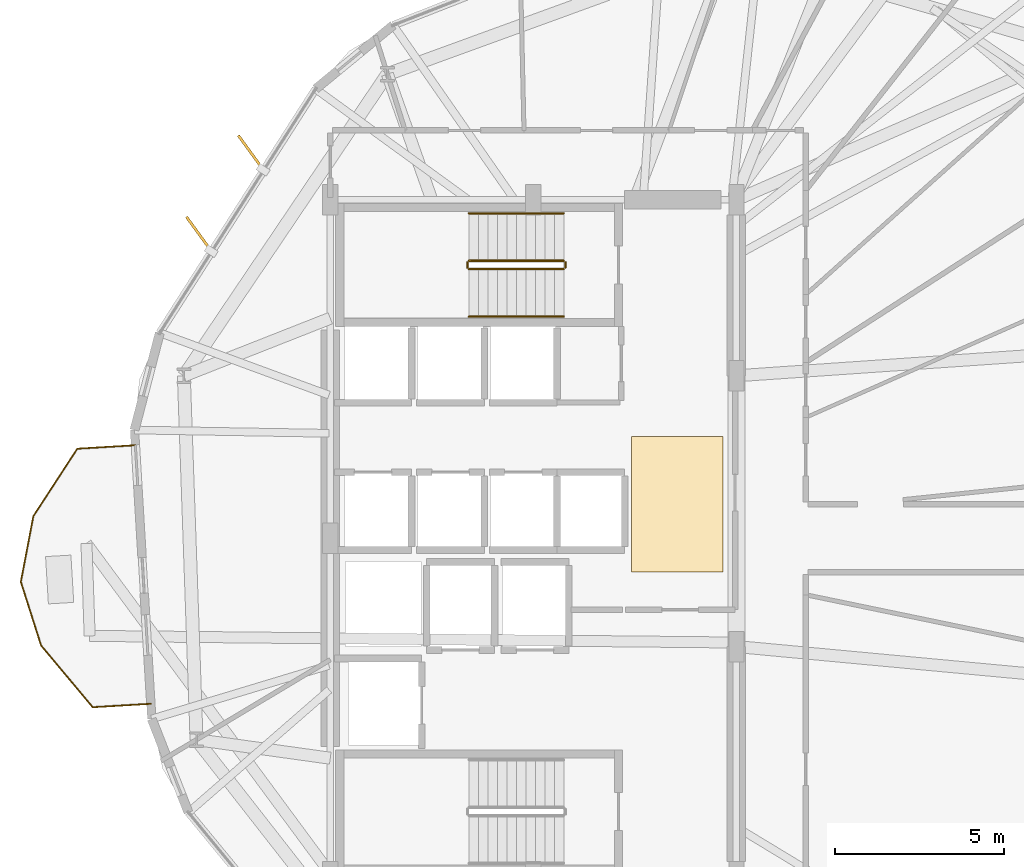
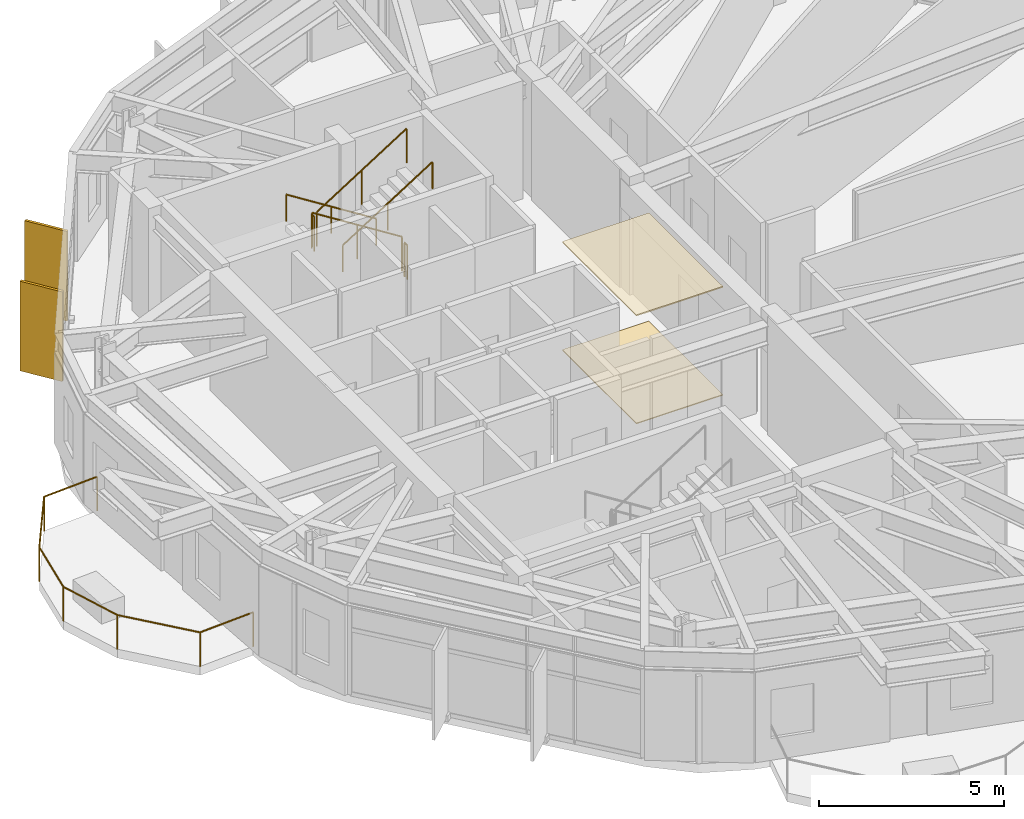
# One storey, part 21 of 22: 7 railings, 2 coverings, 2 shading devices.
"""IFC4 building model written with IfcOpenShell, lengths in metres."""

import ifcopenshell
import ifcopenshell.guid

model = None  # the IFC model being written
_history = None  # IfcOwnerHistory: only IFC2X3 demands one
_inside = {}  # id of a spatial element -> (the spatial element, [elements in it])
_under = {}  # id of a project, library or spatial element -> (it, [spatial elements below it])
_declared = {}  # id of a project -> (the project, [libraries it declares])
_typed = {}  # id of a type object -> (the type object, [elements of that type])
_made_of = {}  # id of a material, layer set ... -> (it, [elements and type objects made of it])


def new_model(schema):
    """Start an empty IFC model of exactly this schema.

    Asked for "IFC4X3", IfcOpenShell would pick the latest addendum, in which some entities
    have other attributes; the version numbers below select the first issue.
    IFC2X3 requires an IfcOwnerHistory on every rooted entity: one is made here for all.
    """
    global model, _history
    if schema == "IFC4X3":
        model = ifcopenshell.file(schema_version=(4, 3, 0, 0))
    else:
        model = ifcopenshell.file(schema=schema)
    _inside.clear()
    _under.clear()
    _declared.clear()
    _typed.clear()
    _made_of.clear()
    _history = None
    if model.schema == "IFC2X3":
        org = make("IfcOrganization", Name="unknown")
        user = make(
            "IfcPersonAndOrganization",
            ThePerson=make("IfcPerson", FamilyName="unknown"),
            TheOrganization=org,
        )
        app = make(
            "IfcApplication",
            ApplicationDeveloper=org,
            Version="unknown",
            ApplicationFullName="unknown",
            ApplicationIdentifier="unknown",
        )
        _history = make(
            "IfcOwnerHistory",
            OwningUser=user,
            OwningApplication=app,
            ChangeAction="ADDED",
            CreationDate=0,
        )
    return model


def make(cls, **values):
    """One entity of the class cls with the attributes given. An attribute that is None is left unset."""
    return model.create_entity(
        cls, **{name: value for name, value in values.items() if value is not None}
    )


def rooted(cls, **values):
    """An entity with a GlobalId (a new one), such as an element, a storey or a relation."""
    return make(cls, GlobalId=ifcopenshell.guid.new(), OwnerHistory=_history, **values)


def si_unit(unit_type, name, prefix=None):
    """IfcSIUnit, for example si_unit("LENGTHUNIT", "METRE", prefix="MILLI")."""
    return make("IfcSIUnit", UnitType=unit_type, Prefix=prefix, Name=name)


def assignment(units):
    """IfcUnitAssignment: the units of a project."""
    return None if units is None else make("IfcUnitAssignment", Units=units)


def point(xyz):
    """IfcCartesianPoint."""
    return None if xyz is None else make("IfcCartesianPoint", Coordinates=xyz)


def direction(xyz):
    """IfcDirection."""
    return None if xyz is None else make("IfcDirection", DirectionRatios=xyz)


def frame(location, z_axis=None, x_axis=None):
    """IfcAxis2Placement3D, a coordinate frame: its origin and axes. An axis left out is left unset."""
    return make(
        "IfcAxis2Placement3D",
        Location=point(location),
        Axis=direction(z_axis),
        RefDirection=direction(x_axis),
    )


def frame_2d(location, x_axis=None):
    """IfcAxis2Placement2D, a coordinate frame in the plane: its origin and x axis."""
    return make(
        "IfcAxis2Placement2D", Location=point(location), RefDirection=direction(x_axis)
    )


def origin():
    """The frame at (0, 0, 0) with its axes left unset."""
    return frame((0.0, 0.0, 0.0))


def origin_2d():
    """The frame at (0, 0) in the plane with its x axis left unset."""
    return frame_2d((0.0, 0.0))


def place(relative_to, where):
    """IfcLocalPlacement: puts the frame where relative to a parent placement (None: the world)."""
    return make(
        "IfcLocalPlacement", PlacementRelTo=relative_to, RelativePlacement=where
    )


def context(
    kind, dimensions, precision=None, world=None, true_north=None, identifier=None
):
    """IfcGeometricRepresentationContext, for example the 3D "Model" context."""
    return make(
        "IfcGeometricRepresentationContext",
        ContextIdentifier=identifier,
        ContextType=kind,
        CoordinateSpaceDimension=dimensions,
        Precision=precision,
        WorldCoordinateSystem=world,
        TrueNorth=true_north,
    )


def subcontext(parent, identifier, kind, view, scale=None):
    """IfcGeometricRepresentationSubContext, for example "Body" below "Model"."""
    return make(
        "IfcGeometricRepresentationSubContext",
        ContextIdentifier=identifier,
        ContextType=kind,
        ParentContext=parent,
        TargetScale=scale,
        TargetView=view,
    )


def project(units=None, contexts=None):
    """IfcProject with its units and contexts."""
    return rooted(
        "IfcProject",
        Name="project",
        RepresentationContexts=contexts,
        UnitsInContext=assignment(units),
    )


def spatial(cls, under=None, at=None, **own):
    """A site, building, storey or space (cls), placed at a placement, below another one or the project."""
    s = rooted(cls, ObjectPlacement=at, **own)
    if under is not None:
        _under.setdefault(under.id(), (under, []))[1].append(s)
    return s


def polyline(points):
    """IfcPolyline through the points."""
    return make("IfcPolyline", Points=[point(p) for p in points])


def profile(cls, at=None, kind="AREA", **sizes):
    """A parametric profile (cls). Its sizes go by their IFC names, for example OverallWidth=200.0."""
    return make(cls, ProfileType=kind, Position=at, **sizes)


def rectangle(**sizes):
    """IfcRectangleProfileDef."""
    return profile("IfcRectangleProfileDef", **sizes)


def circle(**sizes):
    """IfcCircleProfileDef."""
    return profile("IfcCircleProfileDef", **sizes)


def outline(outer, holes=None, kind="AREA"):
    """IfcArbitraryClosedProfileDef: a profile drawn as a closed curve; with holes, ...WithVoids."""
    if holes is None:
        return make("IfcArbitraryClosedProfileDef", ProfileType=kind, OuterCurve=outer)
    return make(
        "IfcArbitraryProfileDefWithVoids",
        ProfileType=kind,
        OuterCurve=outer,
        InnerCurves=holes,
    )


def extrude(swept, where, along, depth):
    """IfcExtrudedAreaSolid: the profile swept, set in the frame where, extruded along a direction by depth."""
    return make(
        "IfcExtrudedAreaSolid",
        SweptArea=swept,
        Position=where,
        ExtrudedDirection=direction(along),
        Depth=depth,
    )


def shape(context_of_items, identifier, shape_type, items):
    """IfcShapeRepresentation: the items that make up one representation, for example the "Body"."""
    return make(
        "IfcShapeRepresentation",
        ContextOfItems=context_of_items,
        RepresentationIdentifier=identifier,
        RepresentationType=shape_type,
        Items=items,
    )


def material(Name=None, Category=None):
    """IfcMaterial."""
    return make("IfcMaterial", Name=Name, Category=Category)


def layer(
    of_material, thickness, ventilated=None, Name=None, Category=None, Priority=None
):
    """IfcMaterialLayer: one layer of a wall or slab, of a material (None: an air gap)."""
    return make(
        "IfcMaterialLayer",
        Material=of_material,
        LayerThickness=thickness,
        IsVentilated=ventilated,
        Name=Name,
        Category=Category,
        Priority=Priority,
    )


def layer_set(layers, Name=None):
    """IfcMaterialLayerSet."""
    return make("IfcMaterialLayerSet", MaterialLayers=layers, LayerSetName=Name)


def made_of(thing, what):
    """Note that an element or type object is made of a material, layer set ...; save() writes the relation."""
    if what is not None:
        _made_of.setdefault(what.id(), (what, []))[1].append(thing)
    return thing


def type_object(cls, material=None, **own):
    """A type object (cls), such as IfcWallType, which elements share."""
    return made_of(rooted(cls, **own), material)


def element(
    cls,
    number,
    at=None,
    inside=None,
    cuts=None,
    type_object=None,
    material=None,
    context=None,
    identifier="Body",
    shape_type=None,
    held_by="IfcProductDefinitionShape",
    body=None,
    shapes=None,
    **own,
):
    """One element of the class cls, such as IfcWall. Its Tag is "e" and its number.

    at: its placement. inside: the storey or other place that contains it. cuts: it is an
    opening in that element (IfcRelVoidsElement). A single representation is given by context,
    identifier, shape_type and body (its items); several are given by shapes. held_by: the class
    of the entity that holds the representations. save() writes the other relations.
    """
    e = rooted(cls, Tag="e%d" % number, ObjectPlacement=at, **own)
    if body is not None:
        shapes = [shape(context, identifier, shape_type, body)]
    if shapes is not None:
        e.Representation = make(held_by, Representations=shapes)
    if inside is not None:
        _inside.setdefault(inside.id(), (inside, []))[1].append(e)
    if cuts is not None:
        rooted(
            "IfcRelVoidsElement", RelatingBuildingElement=cuts, RelatedOpeningElement=e
        )
    if type_object is not None:
        _typed.setdefault(type_object.id(), (type_object, []))[1].append(e)
    return made_of(e, material)


def aggregate(whole, parts):
    """IfcRelAggregates: a whole, such as a stair, and the parts it consists of."""
    return rooted("IfcRelAggregates", RelatingObject=whole, RelatedObjects=parts)


def save(model, path):
    """Write the relations noted so far, then the file.

    IfcRelAggregates (storeys below a building ...), IfcRelContainedInSpatialStructure (elements
    in a storey), IfcRelDefinesByType, IfcRelAssociatesMaterial and IfcRelDeclares: one each for
    every whole, place, type object, material and project.
    """
    for whole, parts in _under.values():
        aggregate(whole, parts)
    for where, things in _inside.values():
        rooted(
            "IfcRelContainedInSpatialStructure",
            RelatedElements=things,
            RelatingStructure=where,
        )
    for kind, things in _typed.values():
        rooted("IfcRelDefinesByType", RelatedObjects=things, RelatingType=kind)
    for what, things in _made_of.values():
        rooted("IfcRelAssociatesMaterial", RelatedObjects=things, RelatingMaterial=what)
    for by, libraries in _declared.values():
        rooted("IfcRelDeclares", RelatingContext=by, RelatedDefinitions=libraries)
    model.write(path)


model = new_model("IFC4")

# Units and contexts
model_context = context("Model", 3, precision=1e-05, world=origin(), true_north=direction((0.0, 1.0)))
body_context = subcontext(model_context, "Body", "Model", "MODEL_VIEW")
ifc_project = project(units=[si_unit("LENGTHUNIT", "METRE"), si_unit("AREAUNIT", "SQUARE_METRE"), si_unit("VOLUMEUNIT", "CUBIC_METRE"), si_unit("PLANEANGLEUNIT", "RADIAN"), si_unit("MASSUNIT", "GRAM", prefix="KILO")], contexts=[model_context])

# Site, building, storey
site_placement = place(None, origin())
site = spatial("IfcSite", under=ifc_project, at=site_placement, CompositionType="ELEMENT")
building_placement = place(site_placement, origin())
building = spatial("IfcBuilding", under=site, at=building_placement, Name="Soratama Intermodal Tower", CompositionType="ELEMENT")
storey_placement = place(building_placement, frame((0.0, 0.0, 110.800048828125)))
storey = spatial("IfcBuildingStorey", under=building, at=storey_placement, Name="L26", CompositionType="ELEMENT", Elevation=110.800048828125)

# Coverings
ifc_material_1 = material(Name="Perforated mineral acoustic ceiling", Category="concrete")
ifc_layer_1 = layer(ifc_material_1, 0.0400390625)
ifc_layer_set_1 = layer_set([ifc_layer_1], Name="Perforated mineral acoustic ceiling")
covering_type_1 = type_object("IfcCoveringType", Name="CV-CEIL-ACOUSTIC", PredefinedType="CEILING", material=ifc_layer_set_1)
covering_1_placement = place(storey_placement, frame((0.0, 0.0, 3.56005859375)))
element("IfcCovering", 1, at=covering_1_placement, inside=storey, type_object=covering_type_1, Name="L26 Acoustic Ceiling", PredefinedType="CEILING", context=body_context, shape_type="SweptSolid", body=[
    extrude(outline(polyline([(41.5, 24.0), (44.199951171875, 24.0), (44.199951171875, 28.0), (41.5, 28.0), (41.5, 24.0)])), origin(), (0.0, 0.0, 1.0), 0.039794921875),
])
ifc_material_2 = material(Name="Polished Andean stone terrazzo flooring", Category="masonry")
ifc_layer_2 = layer(ifc_material_2, 0.030029296875)
ifc_layer_set_2 = layer_set([ifc_layer_2], Name="Polished Andean stone terrazzo flooring")
covering_type_2 = type_object("IfcCoveringType", Name="CV-FLOR-TERRAZZO", PredefinedType="FLOORING", material=ifc_layer_set_2)
covering_2_placement = place(storey_placement, origin())
element("IfcCovering", 2, at=covering_2_placement, inside=storey, type_object=covering_type_2, Name="L26 Lobby Terrazzo Flooring", PredefinedType="FLOORING", context=body_context, shape_type="SweptSolid", body=[
    extrude(outline(polyline([(41.5, 24.0), (44.199951171875, 24.0), (44.199951171875, 28.0), (41.5, 28.0), (41.5, 24.0)])), origin(), (0.0, 0.0, 1.0), 0.030029296875),
])

# Railings
ifc_material_3 = material(Name="Laminated glass and stainless steel balustrade", Category="steel")
railing_type_1 = type_object("IfcRailingType", Name="RL-BAL-1150", PredefinedType="BALUSTRADE", material=ifc_material_3)
railing_1_placement = place(storey_placement, frame((27.298095703125, 20.108642578125, 0.0)))
element("IfcRailing", 3, at=railing_1_placement, inside=storey, type_object=railing_type_1, Name="L26 Balcony Balustrade 2", PredefinedType="BALUSTRADE", context=body_context, shape_type="SweptSolid", body=[
    extrude(circle(Radius=0.02392578125, at=origin_2d()), frame((0.0, 0.0, 1.1259765625), z_axis=(-0.998221102973, -0.059620714341, 0.0), x_axis=(0.059620714341, -0.998221102973, 0.0)), (0.0, 0.0, 1.0), 1.719970703125),
    extrude(circle(Radius=0.02392578125, at=origin_2d()), frame((-1.716796875, -0.1025390625, 1.1259765625), z_axis=(-0.641585930508, 0.767051167638, 0.0), x_axis=(-0.767051167638, -0.641585930508, 0.0)), (0.0, 0.0, 1.0), 2.3798828125),
    extrude(circle(Radius=0.02392578125, at=origin_2d()), frame((-3.24365234375, 1.722900390625, 1.1259765625), z_axis=(-0.303060693045, 0.952971256823, 0.0), x_axis=(-0.952971256823, -0.303060693045, 0.0)), (0.0, 0.0, 1.0), 1.9736328125),
    extrude(circle(Radius=0.02392578125, at=origin_2d()), frame((-3.841796875, 3.603759765625, 1.1259765625), z_axis=(0.187379223031, 0.982287649712, 0.0), x_axis=(-0.982287649712, 0.187379223031, 0.0)), (0.0, 0.0, 1.0), 1.973876953125),
    extrude(circle(Radius=0.02392578125, at=origin_2d()), frame((-3.471923828125, 5.542724609375, 1.1259765625), z_axis=(0.545575993225, 0.83806135552, 0.0), x_axis=(-0.83806135552, 0.545575993225, 0.0)), (0.0, 0.0, 1.0), 2.379638671875),
    extrude(circle(Radius=0.02392578125, at=origin_2d()), frame((-2.173583984375, 7.537109375, 1.1259765625), z_axis=(0.99822160746, 0.059612267188, 0.0), x_axis=(-0.059612267188, 0.99822160746, 0.0)), (0.0, 0.0, 1.0), 1.72021484375),
    extrude(circle(Radius=0.02099609375, at=origin_2d()), origin(), (0.0, 0.0, 1.0), 1.101806640625),
    extrude(circle(Radius=0.02099609375, at=origin_2d()), frame((-1.716796875, -0.1025390625, 0.0)), (0.0, 0.0, 1.0), 1.101806640625),
    extrude(circle(Radius=0.02099609375, at=origin_2d()), frame((-3.24365234375, 1.722900390625, 0.0)), (0.0, 0.0, 1.0), 1.101806640625),
    extrude(circle(Radius=0.02099609375, at=origin_2d()), frame((-3.841796875, 3.603759765625, 0.0)), (0.0, 0.0, 1.0), 1.101806640625),
    extrude(circle(Radius=0.02099609375, at=origin_2d()), frame((-3.471923828125, 5.542724609375, 0.0)), (0.0, 0.0, 1.0), 1.101806640625),
    extrude(circle(Radius=0.02099609375, at=origin_2d()), frame((-2.173583984375, 7.537109375, 0.0)), (0.0, 0.0, 1.0), 1.101806640625),
    extrude(circle(Radius=0.02099609375, at=origin_2d()), frame((-0.45654296875, 7.6396484375, 0.0)), (0.0, 0.0, 1.0), 1.101806640625),
])
ifc_material_4 = material(Name="Painted steel stair guardrail", Category="steel")
railing_type_2 = type_object("IfcRailingType", Name="RL-STAIR-GUARD", PredefinedType="GUARDRAIL", material=ifc_material_4)
railing_2_placement = place(storey_placement, frame((39.5, 33.199951171875, 0.17724609375)))
element("IfcRailing", 4, at=railing_2_placement, inside=storey, type_object=railing_type_2, Name="L26 ST-2 stair guard 1", PredefinedType="GUARDRAIL", context=body_context, shape_type="SweptSolid", body=[
    extrude(circle(Radius=0.02392578125, at=origin_2d()), frame((0.0, 0.0, 1.1259765625), z_axis=(-0.844908973607, 0.0, 0.534910110503), x_axis=(0.0, -1.0, 0.0)), (0.0, 0.0, 1.0), 3.31396484375),
    extrude(circle(Radius=0.02099609375, at=origin_2d()), origin(), (0.0, 0.0, 1.0), 1.101806640625),
    extrude(circle(Radius=0.02099609375, at=origin_2d()), frame((-1.39990234375, 0.0, 0.88623046875)), (0.0, 0.0, 1.0), 1.101806640625),
    extrude(circle(Radius=0.02099609375, at=origin_2d()), frame((-2.800048828125, 0.0, 1.772705078125)), (0.0, 0.0, 1.0), 1.101806640625),
])
railing_3_placement = place(storey_placement, frame((36.64990234375, 33.14990234375, 1.949951171875)))
element("IfcRailing", 5, at=railing_3_placement, inside=storey, type_object=railing_type_2, Name="L26 ST-2 stair guard 2", PredefinedType="GUARDRAIL", context=body_context, shape_type="SweptSolid", body=[
    extrude(circle(Radius=0.02392578125, at=origin_2d()), frame((0.0, 0.0, 1.1259765625), z_axis=(0.0, -1.0, 0.0), x_axis=(1.0, 0.0, 0.0)), (0.0, 0.0, 1.0), 0.14990234375),
    extrude(circle(Radius=0.02099609375, at=origin_2d()), origin(), (0.0, 0.0, 1.0), 1.101806640625),
    extrude(circle(Radius=0.02099609375, at=origin_2d()), frame((0.0, -0.14990234375, 0.0)), (0.0, 0.0, 1.0), 1.101806640625),
])
railing_4_placement = place(storey_placement, frame((36.699951171875, 32.949951171875, 2.127197265625)))
element("IfcRailing", 6, at=railing_4_placement, inside=storey, type_object=railing_type_2, Name="L26 ST-2 stair guard 3", PredefinedType="GUARDRAIL", context=body_context, shape_type="SweptSolid", body=[
    extrude(circle(Radius=0.02392578125, at=origin_2d()), frame((0.0, 0.0, 1.1259765625), z_axis=(0.844908973607, 0.0, 0.534910110503), x_axis=(0.0, 1.0, 0.0)), (0.0, 0.0, 1.0), 3.31396484375),
    extrude(circle(Radius=0.02099609375, at=origin_2d()), origin(), (0.0, 0.0, 1.0), 1.101806640625),
    extrude(circle(Radius=0.02099609375, at=origin_2d()), frame((1.39990234375, 0.0, 0.88623046875)), (0.0, 0.0, 1.0), 1.101806640625),
    extrude(circle(Radius=0.02099609375, at=origin_2d()), frame((2.800048828125, 0.0, 1.772705078125)), (0.0, 0.0, 1.0), 1.101806640625),
])
railing_5_placement = place(storey_placement, frame((39.550048828125, 33.14990234375, 0.0)))
element("IfcRailing", 7, at=railing_5_placement, inside=storey, type_object=railing_type_2, Name="L26 ST-2 stair guard 4", PredefinedType="GUARDRAIL", context=body_context, shape_type="SweptSolid", body=[
    extrude(circle(Radius=0.02392578125, at=origin_2d()), frame((0.0, 0.0, 1.1259765625), z_axis=(0.0, -1.0, 0.0), x_axis=(1.0, 0.0, 0.0)), (0.0, 0.0, 1.0), 0.14990234375),
    extrude(circle(Radius=0.02099609375, at=origin_2d()), origin(), (0.0, 0.0, 1.0), 1.101806640625),
    extrude(circle(Radius=0.02099609375, at=origin_2d()), frame((0.0, -0.14990234375, 0.0)), (0.0, 0.0, 1.0), 1.101806640625),
])
ifc_material_5 = material(Name="Brushed stainless steel handrail", Category="steel")
railing_type_3 = type_object("IfcRailingType", Name="RL-STAIR-HAND", PredefinedType="HANDRAIL", material=ifc_material_5)
railing_6_placement = place(storey_placement, frame((39.5, 34.60009765625, 0.17724609375)))
element("IfcRailing", 8, at=railing_6_placement, inside=storey, type_object=railing_type_3, Name="L26 ST-2 stair handrail 1", PredefinedType="HANDRAIL", context=body_context, shape_type="SweptSolid", body=[
    extrude(circle(Radius=0.02392578125, at=origin_2d()), frame((0.0, 0.0, 0.8759765625), z_axis=(-0.844908973607, 0.0, 0.534910110503), x_axis=(0.0, -1.0, 0.0)), (0.0, 0.0, 1.0), 3.31396484375),
    extrude(circle(Radius=0.02099609375, at=origin_2d()), origin(), (0.0, 0.0, 1.0), 0.851806640625),
    extrude(circle(Radius=0.02099609375, at=origin_2d()), frame((-1.39990234375, 0.0, 0.88623046875)), (0.0, 0.0, 1.0), 0.851806640625),
    extrude(circle(Radius=0.02099609375, at=origin_2d()), frame((-2.800048828125, 0.0, 1.772705078125)), (0.0, 0.0, 1.0), 0.851806640625),
])
railing_7_placement = place(storey_placement, frame((36.699951171875, 31.550048828125, 2.127197265625)))
element("IfcRailing", 9, at=railing_7_placement, inside=storey, type_object=railing_type_3, Name="L26 ST-2 stair handrail 2", PredefinedType="HANDRAIL", context=body_context, shape_type="SweptSolid", body=[
    extrude(circle(Radius=0.02392578125, at=origin_2d()), frame((0.0, 0.0, 0.8759765625), z_axis=(0.844908973607, 0.0, 0.534910110503), x_axis=(0.0, 1.0, 0.0)), (0.0, 0.0, 1.0), 3.31396484375),
    extrude(circle(Radius=0.02099609375, at=origin_2d()), origin(), (0.0, 0.0, 1.0), 0.851806640625),
    extrude(circle(Radius=0.02099609375, at=origin_2d()), frame((1.39990234375, 0.0, 0.88623046875)), (0.0, 0.0, 1.0), 0.851806640625),
    extrude(circle(Radius=0.02099609375, at=origin_2d()), frame((2.800048828125, 0.0, 1.772705078125)), (0.0, 0.0, 1.0), 0.851806640625),
])

# Shading devices
ifc_material_6 = material(Name="Champagne anodised aluminium solar fin", Category="aluminium")
ifc_layer_3 = layer(ifc_material_6, 0.080078125)
ifc_layer_set_3 = layer_set([ifc_layer_3], Name="Champagne anodised aluminium solar fin")
shading_device_type = type_object("IfcShadingDeviceType", Name="SH-FIN-1250", PredefinedType="USERDEFINED", material=ifc_layer_set_3)
for number, where, z_axis, x_axis, name in (
    (10, (30.25244140625, 36.39501953125, 0.02001953125), (0.0, 0.0, 1.0), (-0.588349909417, 0.808606445738, 0.0), "L26 Solar Fin F04-1"),
    (11, (28.71728515625, 33.992431640625, 0.02001953125), (0.0, 0.0, 1.0), (-0.588349909417, 0.808606445738, 0.0), "L26 Solar Fin F04-2"),
):
    element("IfcShadingDevice", number, at=place(storey_placement, frame(where, z_axis=z_axis, x_axis=x_axis)), inside=storey, type_object=shading_device_type, Name=name, ObjectType="FIN", PredefinedType="USERDEFINED", context=body_context, shape_type="SweptSolid", body=[
        extrude(rectangle(XDim=1.25, YDim=0.080078125, at=origin_2d()), origin(), (0.0, 0.0, 1.0), 2.958984375),
    ])

save(model, "model.ifc")
